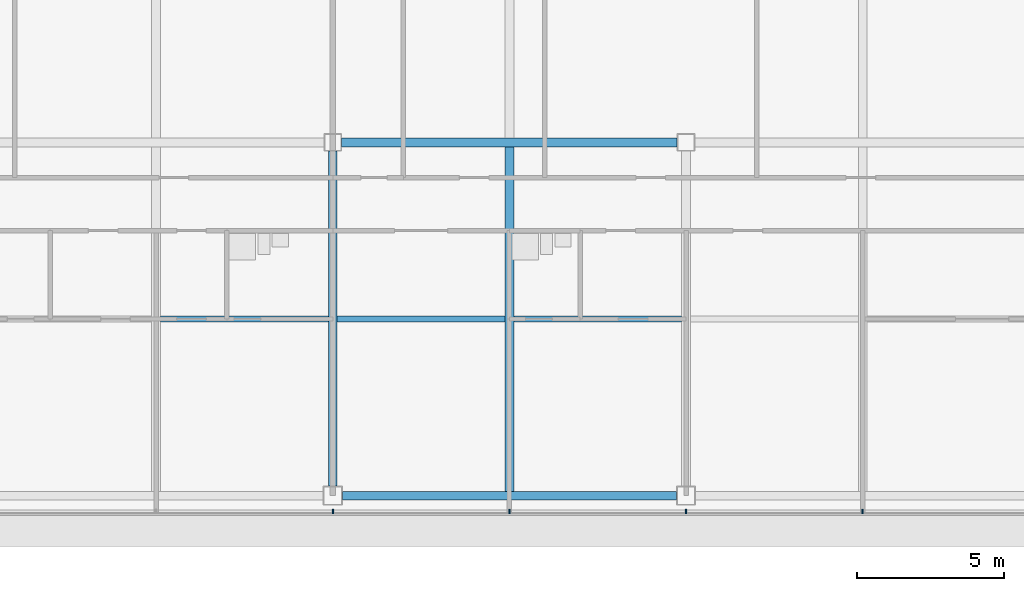
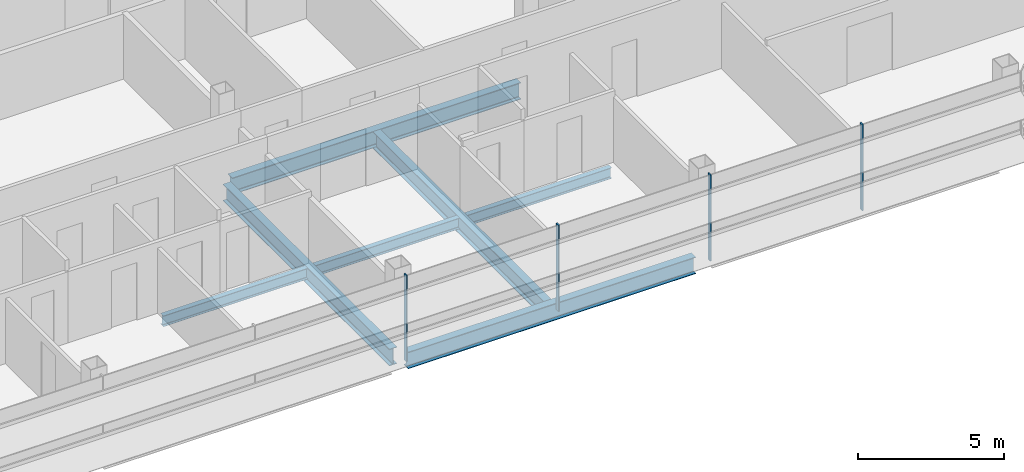
# One storey, part 8 of 27: 7 beams, 4 members, 1 element without a shape of its own.
"""IFC4 building model written with IfcOpenShell, lengths in metres."""

from ifc_helpers import new_model, si_unit, direction, frame, origin, origin_2d, place, context, subcontext, project, spatial, rectangle, i_section, extrude, material, material_profile, profile_set, type_object, element, aggregate, save


model = new_model("IFC4")

# Units and contexts
model_context = context("Model", 3, precision=1e-05, world=origin(), true_north=direction((0.0, 1.0)))
body_context = subcontext(model_context, "Body", "Model", "MODEL_VIEW")
ifc_project = project(units=[si_unit("LENGTHUNIT", "METRE"), si_unit("AREAUNIT", "SQUARE_METRE"), si_unit("VOLUMEUNIT", "CUBIC_METRE"), si_unit("PLANEANGLEUNIT", "RADIAN"), si_unit("MASSUNIT", "GRAM", prefix="KILO")], contexts=[model_context])

# Site, building, storey
site_placement = place(None, origin())
site = spatial("IfcSite", under=ifc_project, at=site_placement, CompositionType="ELEMENT")
building_placement = place(site_placement, origin())
building = spatial("IfcBuilding", under=site, at=building_placement, Name="Sorahane Residences", CompositionType="ELEMENT")
storey_placement = place(building_placement, frame((0.0, 0.0, 226.199951171875)))
storey = spatial("IfcBuildingStorey", under=building, at=storey_placement, Name="L53", CompositionType="ELEMENT", Elevation=226.199951171875)

# Curtain wall, members
ifc_material_1 = material(Name="Dark low-e glass and black anodised aluminium", Category="aluminium")
curtain_wall_type = type_object("IfcCurtainWallType", Name="Curtain wall CW-1 Typical unitised wall", PredefinedType="NOTDEFINED", material=ifc_material_1)
curtain_wall_placement = place(storey_placement, origin())
curtain_wall = element("IfcCurtainWall", 1, at=curtain_wall_placement, inside=storey, type_object=curtain_wall_type, Name="CW-1 curtain wall L53 S1", PredefinedType="NOTDEFINED")
ifc_material_2 = material(Name="Black anodised aluminium", Category="aluminium")
ifc_material_profile_1 = material_profile(ifc_material_2, rectangle(XDim=0.159912109375, YDim=0.050048828125, at=origin_2d()), Name="Curtain wall mullion CW-1 black anodised aluminium 50x160")
ifc_profile_set_1 = profile_set([ifc_material_profile_1], Name="Black anodised aluminium")
member_type = type_object("IfcMemberType", Name="Curtain wall mullion CW-1 black anodised aluminium 50x160", PredefinedType="MULLION", material=ifc_profile_set_1)
member_1_placement = place(storey_placement, frame((24.0, -0.5400390625, -0.179931640625), z_axis=(0.0, 0.0, 1.0), x_axis=(0.0, -1.0, 0.0)))
member_1 = element("IfcMember", 2, at=member_1_placement, type_object=member_type, Name="CW-1 mullion L53 S1.6", PredefinedType="MULLION", context=body_context, shape_type="SweptSolid", body=[
    extrude(rectangle(XDim=0.159912109375, YDim=0.050048828125, at=origin_2d()), origin(), (0.0, 0.0, 1.0), 3.60009765625),
])
member_2_placement = place(storey_placement, frame((30.0, -0.5400390625, -0.179931640625), z_axis=(0.0, 0.0, 1.0), x_axis=(0.0, -1.0, 0.0)))
member_2 = element("IfcMember", 3, at=member_2_placement, type_object=member_type, Name="CW-1 mullion L53 S1.7", PredefinedType="MULLION", context=body_context, shape_type="SweptSolid", body=[
    extrude(rectangle(XDim=0.159912109375, YDim=0.050048828125, at=origin_2d()), origin(), (0.0, 0.0, 1.0), 3.60009765625),
])
member_3_placement = place(storey_placement, frame((36.0, -0.5400390625, -0.179931640625), z_axis=(0.0, 0.0, 1.0), x_axis=(0.0, -1.0, 0.0)))
member_3 = element("IfcMember", 4, at=member_3_placement, type_object=member_type, Name="CW-1 mullion L53 S1.8", PredefinedType="MULLION", context=body_context, shape_type="SweptSolid", body=[
    extrude(rectangle(XDim=0.159912109375, YDim=0.050048828125, at=origin_2d()), origin(), (0.0, 0.0, 1.0), 3.60009765625),
])
member_4_placement = place(storey_placement, frame((42.0, -0.5400390625, -0.179931640625), z_axis=(0.0, 0.0, 1.0), x_axis=(0.0, -1.0, 0.0)))
member_4 = element("IfcMember", 5, at=member_4_placement, type_object=member_type, Name="CW-1 mullion L53 S1.9", PredefinedType="MULLION", context=body_context, shape_type="SweptSolid", body=[
    extrude(rectangle(XDim=0.159912109375, YDim=0.050048828125, at=origin_2d()), origin(), (0.0, 0.0, 1.0), 3.60009765625),
])
aggregate(curtain_wall, [member_1, member_2, member_3, member_4])

# Beams
ifc_material_3 = material(Name="Steel Q355B", Category="steel")
ifc_material_profile_2 = material_profile(ifc_material_3, i_section(OverallWidth=0.199951171875, OverallDepth=0.449951171875, WebThickness=0.009033203125, FlangeThickness=0.013916015625, FilletRadius=0.02001953125, at=origin_2d()), Name="HN 450x200x9x14")
ifc_profile_set_2 = profile_set([ifc_material_profile_2], Name="Steel Q355B")
beam_type_1 = type_object("IfcBeamType", Name="Steel floor beam HN 450x200x9x14 Q355B", PredefinedType="BEAM", material=ifc_profile_set_2)
for number, where, z_axis, x_axis, name in (
    (6, (18.14990234375, 6.0, -0.405029296875), (1.0, 0.0, 0.0), (0.0, 1.0, 0.0), "Beam L53 072"),
    (7, (24.14990234375, 6.0, -0.405029296875), (1.0, 0.0, 0.0), (0.0, 1.0, 0.0), "Beam L53 073"),
    (8, (30.14990234375, 6.0, -0.405029296875), (1.0, 0.0, 0.0), (0.0, 1.0, 0.0), "Beam L53 074"),
):
    element("IfcBeam", number, at=place(storey_placement, frame(where, z_axis=z_axis, x_axis=x_axis)), inside=storey, type_object=beam_type_1, Name=name, PredefinedType="BEAM", context=body_context, shape_type="SweptSolid", body=[
        extrude(i_section(OverallWidth=0.199951171875, OverallDepth=0.449951171875, WebThickness=0.009033203125, FlangeThickness=0.013916015625, FilletRadius=0.02001953125, at=origin_2d()), origin(), (0.0, 0.0, 1.0), 5.7001953125),
    ])
ifc_material_4 = material(Name="Steel Q355B", Category="steel")
ifc_material_profile_3 = material_profile(ifc_material_4, i_section(OverallWidth=0.300048828125, OverallDepth=0.699951171875, WebThickness=0.012939453125, FlangeThickness=0.02392578125, FilletRadius=0.028076171875, at=origin_2d()), Name="HN 700x300x13x24")
ifc_profile_set_3 = profile_set([ifc_material_profile_3], Name="Steel Q355B")
beam_type_2 = type_object("IfcBeamType", Name="Steel floor beam HN 700x300x13x24 Q355B", PredefinedType="BEAM", material=ifc_profile_set_3)
beam_1_placement = place(storey_placement, frame((24.324951171875, 0.0, -0.530029296875), z_axis=(1.0, 0.0, 0.0), x_axis=(0.0, 1.0, 0.0)))
element("IfcBeam", 9, at=beam_1_placement, inside=storey, type_object=beam_type_2, Name="Beam L53 003", PredefinedType="BEAM", context=body_context, shape_type="SweptSolid", body=[
    extrude(i_section(OverallWidth=0.300048828125, OverallDepth=0.699951171875, WebThickness=0.012939453125, FlangeThickness=0.02392578125, FilletRadius=0.028076171875, at=origin_2d()), origin(), (0.0, 0.0, 1.0), 11.35009765625),
])
beam_2_placement = place(storey_placement, frame((24.300048828125, 12.0, -0.530029296875), z_axis=(1.0, 0.0, 0.0), x_axis=(0.0, 1.0, 0.0)))
element("IfcBeam", 10, at=beam_2_placement, inside=storey, type_object=beam_type_2, Name="Beam L53 008", PredefinedType="BEAM", context=body_context, shape_type="SweptSolid", body=[
    extrude(i_section(OverallWidth=0.300048828125, OverallDepth=0.699951171875, WebThickness=0.012939453125, FlangeThickness=0.02392578125, FilletRadius=0.028076171875, at=origin_2d()), origin(), (0.0, 0.0, 1.0), 11.39990234375),
])
beam_3_placement = place(storey_placement, frame((24.0, 0.324951171875, -0.530029296875), z_axis=(0.0, 1.0, 0.0), x_axis=(-1.0, 0.0, 0.0)))
element("IfcBeam", 11, at=beam_3_placement, inside=storey, type_object=beam_type_2, Name="Beam L53 042", PredefinedType="BEAM", context=body_context, shape_type="SweptSolid", body=[
    extrude(i_section(OverallWidth=0.300048828125, OverallDepth=0.699951171875, WebThickness=0.012939453125, FlangeThickness=0.02392578125, FilletRadius=0.028076171875, at=origin_2d()), origin(), (0.0, 0.0, 1.0), 11.375),
])
beam_4_placement = place(storey_placement, frame((30.0, 0.14990234375, -0.530029296875), z_axis=(0.0, 1.0, 0.0), x_axis=(-1.0, 0.0, 0.0)))
element("IfcBeam", 12, at=beam_4_placement, inside=storey, type_object=beam_type_2, Name="Beam L53 044", PredefinedType="BEAM", context=body_context, shape_type="SweptSolid", body=[
    extrude(i_section(OverallWidth=0.300048828125, OverallDepth=0.699951171875, WebThickness=0.012939453125, FlangeThickness=0.02392578125, FilletRadius=0.028076171875, at=origin_2d()), origin(), (0.0, 0.0, 1.0), 11.7001953125),
])

save(model, "model.ifc")
